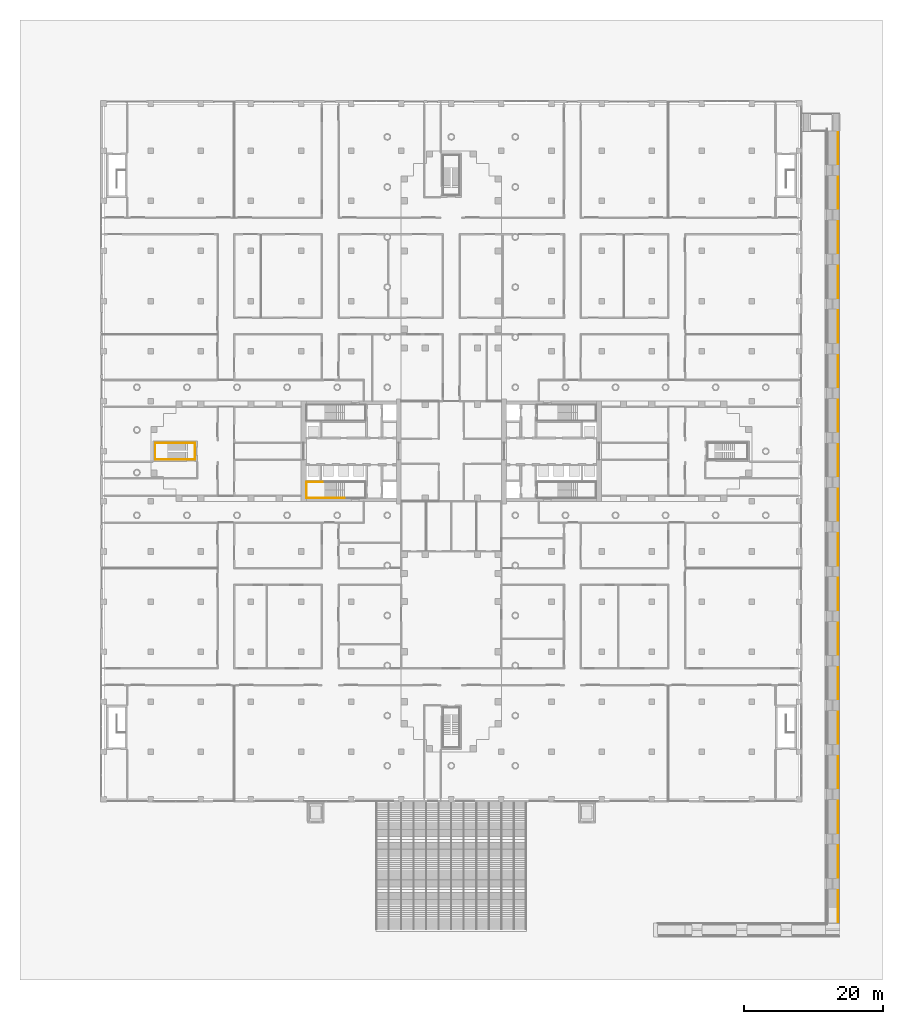
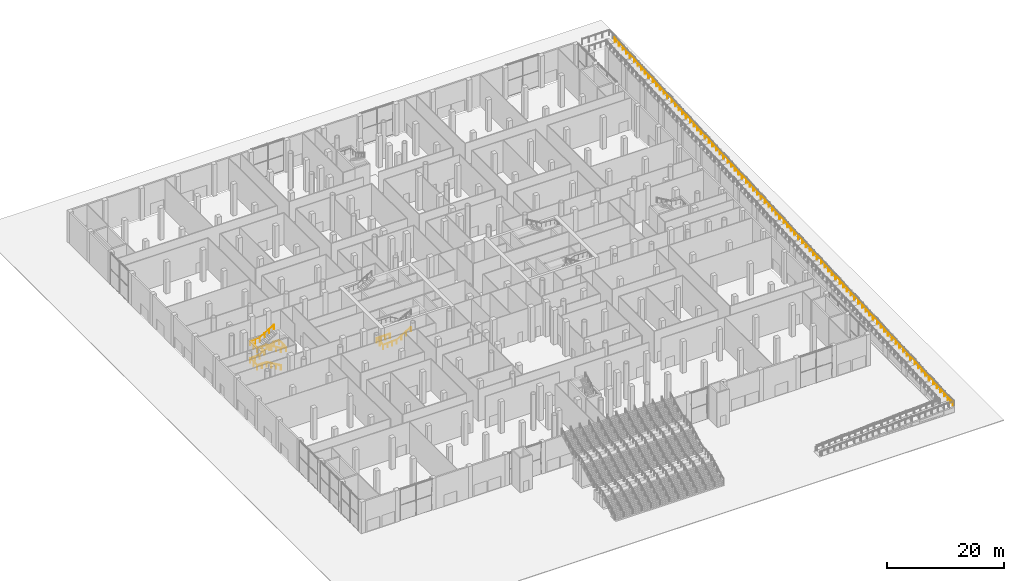
# One storey, part 41 of 44: 6 railings.
"""IFC4 building model written with IfcOpenShell, lengths in metres."""

from ifc_helpers import new_model, si_unit, direction, frame, origin, origin_2d, place, context, subcontext, project, spatial, circle, extrude, material, type_object, element, save


model = new_model("IFC4")

# Units and contexts
model_context = context("Model", 3, precision=1e-05, world=origin(), true_north=direction((0.0, 1.0)))
body_context = subcontext(model_context, "Body", "Model", "MODEL_VIEW")
ifc_project = project(units=[si_unit("LENGTHUNIT", "METRE"), si_unit("AREAUNIT", "SQUARE_METRE"), si_unit("VOLUMEUNIT", "CUBIC_METRE"), si_unit("PLANEANGLEUNIT", "RADIAN"), si_unit("MASSUNIT", "GRAM", prefix="KILO")], contexts=[model_context])

# Site, building, storey
site_placement = place(None, origin())
site = spatial("IfcSite", under=ifc_project, at=site_placement, CompositionType="ELEMENT")
building_placement = place(site_placement, origin())
building = spatial("IfcBuilding", under=site, at=building_placement, Name="Fustian Cross Tower", CompositionType="ELEMENT")
storey_placement = place(building_placement, origin())
storey = spatial("IfcBuildingStorey", under=building, at=storey_placement, Name="L00", CompositionType="ELEMENT", Elevation=0.0)

# Railings
ifc_material_1 = material(Name="Stainless steel", Category="steel")
railing_type_1 = type_object("IfcRailingType", Name="STAIR HANDRAIL", PredefinedType="HANDRAIL", material=ifc_material_1)
railing_1_placement = place(storey_placement, frame((-18.14990234375, -4.39990234375, 1.800048828125)))
element("IfcRailing", 1, at=railing_1_placement, inside=storey, type_object=railing_type_1, Name="Stair ST4 handrail 2", PredefinedType="HANDRAIL", context=body_context, shape_type="SweptSolid", body=[
    extrude(circle(Radius=0.02490234375, at=origin_2d()), frame((0.0, 0.0, 0.875), z_axis=(-1.0, 0.0, 0.0), x_axis=(0.0, -1.0, 0.0)), (0.0, 0.0, 1.0), 2.66015625),
    extrude(circle(Radius=0.02490234375, at=origin_2d()), frame((-2.66015625, 0.0, 0.875), z_axis=(0.0, -1.0, 0.0), x_axis=(1.0, 0.0, 0.0)), (0.0, 0.0, 1.0), 2.300048828125),
    extrude(circle(Radius=0.02490234375, at=origin_2d()), frame((-2.66015625, -2.300048828125, 0.875), z_axis=(0.998114806323, 0.0, 0.061374533796), x_axis=(0.0, 1.0, 0.0)), (0.0, 0.0, 1.0), 2.665283203125),
    extrude(circle(Radius=0.02490234375, at=origin_2d()), frame((0.0, -2.300048828125, 1.03857421875), z_axis=(0.863341702679, 0.0, 0.504619762213), x_axis=(0.0, 1.0, 0.0)), (0.0, 0.0, 1.0), 3.242919921875),
    extrude(circle(Radius=0.02001953125, at=origin_2d()), origin(), (0.0, 0.0, 1.0), 0.849853515625),
    extrude(circle(Radius=0.02001953125, at=origin_2d()), frame((-0.88671875, 0.0, 0.0)), (0.0, 0.0, 1.0), 0.849853515625),
    extrude(circle(Radius=0.02001953125, at=origin_2d()), frame((-1.7734375, 0.0, 0.0)), (0.0, 0.0, 1.0), 0.849853515625),
    extrude(circle(Radius=0.02001953125, at=origin_2d()), frame((-2.66015625, 0.0, 0.0)), (0.0, 0.0, 1.0), 0.849853515625),
    extrude(circle(Radius=0.02001953125, at=origin_2d()), frame((-2.66015625, -1.14990234375, 0.0)), (0.0, 0.0, 1.0), 0.849853515625),
    extrude(circle(Radius=0.02001953125, at=origin_2d()), frame((-2.66015625, -2.300048828125, 0.0)), (0.0, 0.0, 1.0), 0.849853515625),
    extrude(circle(Radius=0.02001953125, at=origin_2d()), frame((-1.7734375, -2.300048828125, 0.054443359375)), (0.0, 0.0, 1.0), 0.849853515625),
    extrude(circle(Radius=0.02001953125, at=origin_2d()), frame((-0.88671875, -2.300048828125, 0.109130859375)), (0.0, 0.0, 1.0), 0.849853515625),
    extrude(circle(Radius=0.02001953125, at=origin_2d()), frame((0.0, -2.300048828125, 0.16357421875)), (0.0, 0.0, 1.0), 0.849853515625),
    extrude(circle(Radius=0.02001953125, at=origin_2d()), frame((0.933349609375, -2.300048828125, 0.708984375)), (0.0, 0.0, 1.0), 0.849853515625),
    extrude(circle(Radius=0.02001953125, at=origin_2d()), frame((1.866455078125, -2.300048828125, 1.254638671875)), (0.0, 0.0, 1.0), 0.849853515625),
    extrude(circle(Radius=0.02001953125, at=origin_2d()), frame((2.7998046875, -2.300048828125, 1.800048828125)), (0.0, 0.0, 1.0), 0.849853515625),
])
railing_2_placement = place(storey_placement, frame((-37.89990234375, -1.199951171875, 0.16357421875)))
element("IfcRailing", 2, at=railing_2_placement, inside=storey, type_object=railing_type_1, Name="Stair ST9 handrail 1", PredefinedType="HANDRAIL", context=body_context, shape_type="SweptSolid", body=[
    extrude(circle(Radius=0.02490234375, at=origin_2d()), frame((0.0, 0.0, 0.875), z_axis=(-0.863360870873, 0.0, 0.504586966384), x_axis=(0.0, -1.0, 0.0)), (0.0, 0.0, 1.0), 3.2431640625),
    extrude(circle(Radius=0.02001953125, at=origin_2d()), origin(), (0.0, 0.0, 1.0), 0.849853515625),
    extrude(circle(Radius=0.02001953125, at=origin_2d()), frame((-0.933349609375, 0.0, 0.54541015625)), (0.0, 0.0, 1.0), 0.849853515625),
    extrude(circle(Radius=0.02001953125, at=origin_2d()), frame((-1.86669921875, 0.0, 1.091064453125)), (0.0, 0.0, 1.0), 0.849853515625),
    extrude(circle(Radius=0.02001953125, at=origin_2d()), frame((-2.800048828125, 0.0, 1.636474609375)), (0.0, 0.0, 1.0), 0.849853515625),
])
railing_3_placement = place(storey_placement, frame((-40.699951171875, -1.199951171875, 1.800048828125)))
element("IfcRailing", 3, at=railing_3_placement, inside=storey, type_object=railing_type_1, Name="Stair ST9 handrail 2", PredefinedType="HANDRAIL", context=body_context, shape_type="SweptSolid", body=[
    extrude(circle(Radius=0.02490234375, at=origin_2d()), frame((0.0, 0.0, 0.875), z_axis=(-1.0, 0.0, 0.0), x_axis=(0.0, -1.0, 0.0)), (0.0, 0.0, 1.0), 1.860107421875),
    extrude(circle(Radius=0.02490234375, at=origin_2d()), frame((-1.860107421875, 0.0, 0.875), z_axis=(0.0, 1.0, 0.0), x_axis=(-1.0, 0.0, 0.0)), (0.0, 0.0, 1.0), 2.39990234375),
    extrude(circle(Radius=0.02490234375, at=origin_2d()), frame((-1.860107421875, 2.39990234375, 0.875), z_axis=(0.996155731489, 0.0, 0.087599992138), x_axis=(0.0, 1.0, 0.0)), (0.0, 0.0, 1.0), 1.8671875),
    extrude(circle(Radius=0.02490234375, at=origin_2d()), frame((0.0, 2.39990234375, 1.03857421875), z_axis=(0.863360870873, 0.0, 0.504586966384), x_axis=(0.0, 1.0, 0.0)), (0.0, 0.0, 1.0), 3.2431640625),
    extrude(circle(Radius=0.02001953125, at=origin_2d()), origin(), (0.0, 0.0, 1.0), 0.849853515625),
    extrude(circle(Radius=0.02001953125, at=origin_2d()), frame((-0.93017578125, 0.0, 0.0)), (0.0, 0.0, 1.0), 0.849853515625),
    extrude(circle(Radius=0.02001953125, at=origin_2d()), frame((-1.860107421875, 0.0, 0.0)), (0.0, 0.0, 1.0), 0.849853515625),
    extrude(circle(Radius=0.02001953125, at=origin_2d()), frame((-1.860107421875, 1.199951171875, 0.0)), (0.0, 0.0, 1.0), 0.849853515625),
    extrude(circle(Radius=0.02001953125, at=origin_2d()), frame((-1.860107421875, 2.39990234375, 0.0)), (0.0, 0.0, 1.0), 0.849853515625),
    extrude(circle(Radius=0.02001953125, at=origin_2d()), frame((-0.93017578125, 2.39990234375, 0.081787109375)), (0.0, 0.0, 1.0), 0.849853515625),
    extrude(circle(Radius=0.02001953125, at=origin_2d()), frame((0.0, 2.39990234375, 0.16357421875)), (0.0, 0.0, 1.0), 0.849853515625),
    extrude(circle(Radius=0.02001953125, at=origin_2d()), frame((0.933349609375, 2.39990234375, 0.708984375)), (0.0, 0.0, 1.0), 0.849853515625),
    extrude(circle(Radius=0.02001953125, at=origin_2d()), frame((1.86669921875, 2.39990234375, 1.254638671875)), (0.0, 0.0, 1.0), 0.849853515625),
    extrude(circle(Radius=0.02001953125, at=origin_2d()), frame((2.800048828125, 2.39990234375, 1.800048828125)), (0.0, 0.0, 1.0), 0.849853515625),
])
railing_4_placement = place(storey_placement, frame((-37.89990234375, 1.199951171875, 3.60009765625)))
element("IfcRailing", 4, at=railing_4_placement, inside=storey, type_object=railing_type_1, Name="Stair ST9 handrail 3", PredefinedType="HANDRAIL", context=body_context, shape_type="SweptSolid", body=[
    extrude(circle(Radius=0.02490234375, at=origin_2d()), frame((0.0, 0.0, 0.875), z_axis=(1.0, 0.0, 0.0), x_axis=(0.0, 1.0, 0.0)), (0.0, 0.0, 1.0), 1.059814453125),
    extrude(circle(Radius=0.02490234375, at=origin_2d()), frame((1.059814453125, 0.0, 0.875), z_axis=(0.0, -1.0, 0.0), x_axis=(1.0, 0.0, 0.0)), (0.0, 0.0, 1.0), 2.39990234375),
    extrude(circle(Radius=0.02490234375, at=origin_2d()), frame((1.059814453125, -2.39990234375, 0.875), z_axis=(-0.988297886235, 0.0, 0.152536186081), x_axis=(0.0, -1.0, 0.0)), (0.0, 0.0, 1.0), 1.072265625),
    extrude(circle(Radius=0.02490234375, at=origin_2d()), frame((0.0, -2.39990234375, 1.03857421875), z_axis=(-0.863393664356, 0.0, 0.504530851732), x_axis=(0.0, -1.0, 0.0)), (0.0, 0.0, 1.0), 3.2431640625),
    extrude(circle(Radius=0.02001953125, at=origin_2d()), origin(), (0.0, 0.0, 1.0), 0.849853515625),
    extrude(circle(Radius=0.02001953125, at=origin_2d()), frame((1.059814453125, 0.0, 0.0)), (0.0, 0.0, 1.0), 0.849853515625),
    extrude(circle(Radius=0.02001953125, at=origin_2d()), frame((1.059814453125, -1.199951171875, 0.0)), (0.0, 0.0, 1.0), 0.849853515625),
    extrude(circle(Radius=0.02001953125, at=origin_2d()), frame((1.059814453125, -2.39990234375, 0.0)), (0.0, 0.0, 1.0), 0.849853515625),
    extrude(circle(Radius=0.02001953125, at=origin_2d()), frame((0.0, -2.39990234375, 0.16357421875)), (0.0, 0.0, 1.0), 0.849853515625),
    extrude(circle(Radius=0.02001953125, at=origin_2d()), frame((-0.933349609375, -2.39990234375, 0.708984375)), (0.0, 0.0, 1.0), 0.849853515625),
    extrude(circle(Radius=0.02001953125, at=origin_2d()), frame((-1.86669921875, -2.39990234375, 1.25439453125)), (0.0, 0.0, 1.0), 0.849853515625),
    extrude(circle(Radius=0.02001953125, at=origin_2d()), frame((-2.800048828125, -2.39990234375, 1.7998046875)), (0.0, 0.0, 1.0), 0.849853515625),
])
railing_5_placement = place(storey_placement, frame((-40.699951171875, -1.199951171875, 5.39990234375)))
element("IfcRailing", 5, at=railing_5_placement, inside=storey, type_object=railing_type_1, Name="Stair ST9 handrail 4", PredefinedType="HANDRAIL", context=body_context, shape_type="SweptSolid", body=[
    extrude(circle(Radius=0.02490234375, at=origin_2d()), frame((0.0, 0.0, 0.875), z_axis=(-1.0, 0.0, 0.0), x_axis=(0.0, -1.0, 0.0)), (0.0, 0.0, 1.0), 1.860107421875),
    extrude(circle(Radius=0.02490234375, at=origin_2d()), frame((-1.860107421875, 0.0, 0.875), z_axis=(0.0, 1.0, 0.0), x_axis=(-1.0, 0.0, 0.0)), (0.0, 0.0, 1.0), 2.39990234375),
    extrude(circle(Radius=0.02490234375, at=origin_2d()), frame((-1.860107421875, 2.39990234375, 0.875), z_axis=(0.996144313829, 0.0, 0.087729732849), x_axis=(0.0, 1.0, 0.0)), (0.0, 0.0, 1.0), 1.8671875),
    extrude(circle(Radius=0.02490234375, at=origin_2d()), frame((0.0, 2.39990234375, 1.03857421875), z_axis=(0.863393664356, 0.0, 0.504530851732), x_axis=(0.0, 1.0, 0.0)), (0.0, 0.0, 1.0), 3.2431640625),
    extrude(circle(Radius=0.02001953125, at=origin_2d()), origin(), (0.0, 0.0, 1.0), 0.849853515625),
    extrude(circle(Radius=0.02001953125, at=origin_2d()), frame((-0.93017578125, 0.0, 0.0)), (0.0, 0.0, 1.0), 0.849853515625),
    extrude(circle(Radius=0.02001953125, at=origin_2d()), frame((-1.860107421875, 0.0, 0.0)), (0.0, 0.0, 1.0), 0.849853515625),
    extrude(circle(Radius=0.02001953125, at=origin_2d()), frame((-1.860107421875, 1.199951171875, 0.0)), (0.0, 0.0, 1.0), 0.849853515625),
    extrude(circle(Radius=0.02001953125, at=origin_2d()), frame((-1.860107421875, 2.39990234375, 0.0)), (0.0, 0.0, 1.0), 0.849853515625),
    extrude(circle(Radius=0.02001953125, at=origin_2d()), frame((-0.93017578125, 2.39990234375, 0.08203125)), (0.0, 0.0, 1.0), 0.849853515625),
    extrude(circle(Radius=0.02001953125, at=origin_2d()), frame((0.0, 2.39990234375, 0.163818359375)), (0.0, 0.0, 1.0), 0.849853515625),
    extrude(circle(Radius=0.02001953125, at=origin_2d()), frame((0.933349609375, 2.39990234375, 0.709228515625)), (0.0, 0.0, 1.0), 0.849853515625),
    extrude(circle(Radius=0.02001953125, at=origin_2d()), frame((1.86669921875, 2.39990234375, 1.254638671875)), (0.0, 0.0, 1.0), 0.849853515625),
    extrude(circle(Radius=0.02001953125, at=origin_2d()), frame((2.800048828125, 2.39990234375, 1.800048828125)), (0.0, 0.0, 1.0), 0.849853515625),
])
ifc_material_2 = material(Name="Steel S355", Category="steel")
railing_type_2 = type_object("IfcRailingType", Name="STEEL HANDRAIL 900", PredefinedType="HANDRAIL", material=ifc_material_2)
railing_6_placement = place(storey_placement, frame((55.60009765625, -69.60009765625, 1.30908203125)))
element("IfcRailing", 6, at=railing_6_placement, inside=storey, type_object=railing_type_2, Name="Ramp handrail H2 east leg", PredefinedType="HANDRAIL", context=body_context, shape_type="SweptSolid", body=[
    extrude(circle(Radius=0.02392578125, at=origin_2d()), frame((0.0, 0.0, 0.8759765625), z_axis=(0.0, 1.0, 0.0), x_axis=(-1.0, 0.0, 0.0)), (0.0, 0.0, 1.0), 1.800048828125),
    extrude(circle(Radius=0.02392578125, at=origin_2d()), frame((0.0, 1.800048828125, 0.8759765625), z_axis=(0.0, 0.99778362065, 0.066542064616), x_axis=(-1.0, 0.0, 0.0)), (0.0, 0.0, 1.0), 4.920166015625),
    extrude(circle(Radius=0.02392578125, at=origin_2d()), frame((0.0, 6.709228515625, 1.203125), z_axis=(0.0, 1.0, 0.0), x_axis=(-1.0, 0.0, 0.0)), (0.0, 0.0, 1.0), 1.5),
    extrude(circle(Radius=0.02392578125, at=origin_2d()), frame((0.0, 8.209228515625, 1.203125), z_axis=(0.0, 0.997786694612, 0.066495955179), x_axis=(-1.0, 0.0, 0.0)), (0.0, 0.0, 1.0), 4.919921875),
    extrude(circle(Radius=0.02392578125, at=origin_2d()), frame((0.0, 13.1181640625, 1.5302734375), z_axis=(0.0, 1.0, 0.0), x_axis=(-1.0, 0.0, 0.0)), (0.0, 0.0, 1.0), 1.5),
    extrude(circle(Radius=0.02392578125, at=origin_2d()), frame((0.0, 14.6181640625, 1.5302734375), z_axis=(0.0, 0.99778362065, 0.066542064616), x_axis=(-1.0, 0.0, 0.0)), (0.0, 0.0, 1.0), 4.920166015625),
    extrude(circle(Radius=0.02392578125, at=origin_2d()), frame((0.0, 19.52734375, 1.85791015625), z_axis=(0.0, 1.0, 0.0), x_axis=(-1.0, 0.0, 0.0)), (0.0, 0.0, 1.0), 1.5),
    extrude(circle(Radius=0.02392578125, at=origin_2d()), frame((0.0, 21.02734375, 1.85791015625), z_axis=(0.0, 0.997786914018, 0.06649266286), x_axis=(-1.0, 0.0, 0.0)), (0.0, 0.0, 1.0), 4.920166015625),
    extrude(circle(Radius=0.02392578125, at=origin_2d()), frame((0.0, 25.9365234375, 2.18505859375), z_axis=(0.0, 1.0, 0.0), x_axis=(-1.0, 0.0, 0.0)), (0.0, 0.0, 1.0), 1.5),
    extrude(circle(Radius=0.02392578125, at=origin_2d()), frame((0.0, 27.4365234375, 2.18505859375), z_axis=(0.0, 0.997783400918, 0.066545359359), x_axis=(-1.0, 0.0, 0.0)), (0.0, 0.0, 1.0), 4.919921875),
    extrude(circle(Radius=0.02392578125, at=origin_2d()), frame((0.0, 32.345458984375, 2.51220703125), z_axis=(0.0, 1.0, 0.0), x_axis=(-1.0, 0.0, 0.0)), (0.0, 0.0, 1.0), 1.5),
    extrude(circle(Radius=0.02392578125, at=origin_2d()), frame((0.0, 33.845458984375, 2.51220703125), z_axis=(0.0, 0.997786914018, 0.06649266286), x_axis=(-1.0, 0.0, 0.0)), (0.0, 0.0, 1.0), 4.920166015625),
    extrude(circle(Radius=0.02392578125, at=origin_2d()), frame((0.0, 38.754638671875, 2.83935546875), z_axis=(0.0, 1.0, 0.0), x_axis=(-1.0, 0.0, 0.0)), (0.0, 0.0, 1.0), 1.5),
    extrude(circle(Radius=0.02392578125, at=origin_2d()), frame((0.0, 40.254638671875, 2.83935546875), z_axis=(0.0, 0.99778362065, 0.066542064616), x_axis=(-1.0, 0.0, 0.0)), (0.0, 0.0, 1.0), 4.920166015625),
    extrude(circle(Radius=0.02392578125, at=origin_2d()), frame((0.0, 45.163818359375, 3.1669921875), z_axis=(0.0, 1.0, 0.0), x_axis=(-1.0, 0.0, 0.0)), (0.0, 0.0, 1.0), 1.5),
    extrude(circle(Radius=0.02392578125, at=origin_2d()), frame((0.0, 46.663818359375, 3.1669921875), z_axis=(0.0, 0.997786694612, 0.066495955179), x_axis=(-1.0, 0.0, 0.0)), (0.0, 0.0, 1.0), 4.919921875),
    extrude(circle(Radius=0.02392578125, at=origin_2d()), frame((0.0, 51.57275390625, 3.494140625), z_axis=(0.0, 1.0, 0.0), x_axis=(-1.0, 0.0, 0.0)), (0.0, 0.0, 1.0), 1.5),
    extrude(circle(Radius=0.02392578125, at=origin_2d()), frame((0.0, 53.07275390625, 3.494140625), z_axis=(0.0, 0.99778362065, 0.066542064616), x_axis=(-1.0, 0.0, 0.0)), (0.0, 0.0, 1.0), 4.920166015625),
    extrude(circle(Radius=0.02392578125, at=origin_2d()), frame((0.0, 57.98193359375, 3.8212890625), z_axis=(0.0, 1.0, 0.0), x_axis=(-1.0, 0.0, 0.0)), (0.0, 0.0, 1.0), 1.5),
    extrude(circle(Radius=0.02392578125, at=origin_2d()), frame((0.0, 59.48193359375, 3.8212890625), z_axis=(0.0, 0.997786914018, 0.06649266286), x_axis=(-1.0, 0.0, 0.0)), (0.0, 0.0, 1.0), 4.920166015625),
    extrude(circle(Radius=0.02392578125, at=origin_2d()), frame((0.0, 64.39111328125, 4.1484375), z_axis=(0.0, 1.0, 0.0), x_axis=(-1.0, 0.0, 0.0)), (0.0, 0.0, 1.0), 1.5),
    extrude(circle(Radius=0.02392578125, at=origin_2d()), frame((0.0, 65.89111328125, 4.1484375), z_axis=(0.0, 0.997783400918, 0.066545359359), x_axis=(-1.0, 0.0, 0.0)), (0.0, 0.0, 1.0), 4.919921875),
    extrude(circle(Radius=0.02392578125, at=origin_2d()), frame((0.0, 70.800048828125, 4.47607421875), z_axis=(0.0, 1.0, 0.0), x_axis=(-1.0, 0.0, 0.0)), (0.0, 0.0, 1.0), 1.5),
    extrude(circle(Radius=0.02392578125, at=origin_2d()), frame((0.0, 72.300048828125, 4.47607421875), z_axis=(0.0, 0.997786914018, 0.06649266286), x_axis=(-1.0, 0.0, 0.0)), (0.0, 0.0, 1.0), 4.920166015625),
    extrude(circle(Radius=0.02392578125, at=origin_2d()), frame((0.0, 77.209228515625, 4.80322265625), z_axis=(0.0, 1.0, 0.0), x_axis=(-1.0, 0.0, 0.0)), (0.0, 0.0, 1.0), 1.5),
    extrude(circle(Radius=0.02392578125, at=origin_2d()), frame((0.0, 78.709228515625, 4.80322265625), z_axis=(0.0, 0.997783400918, 0.066545359359), x_axis=(-1.0, 0.0, 0.0)), (0.0, 0.0, 1.0), 4.919921875),
    extrude(circle(Radius=0.02392578125, at=origin_2d()), frame((0.0, 83.6181640625, 5.13037109375), z_axis=(0.0, 1.0, 0.0), x_axis=(-1.0, 0.0, 0.0)), (0.0, 0.0, 1.0), 1.5),
    extrude(circle(Radius=0.02392578125, at=origin_2d()), frame((0.0, 85.1181640625, 5.13037109375), z_axis=(0.0, 0.997786914018, 0.06649266286), x_axis=(-1.0, 0.0, 0.0)), (0.0, 0.0, 1.0), 4.920166015625),
    extrude(circle(Radius=0.02392578125, at=origin_2d()), frame((0.0, 90.02734375, 5.45751953125), z_axis=(0.0, 1.0, 0.0), x_axis=(-1.0, 0.0, 0.0)), (0.0, 0.0, 1.0), 1.5),
    extrude(circle(Radius=0.02392578125, at=origin_2d()), frame((0.0, 91.52734375, 5.45751953125), z_axis=(0.0, 0.99778362065, 0.066542064616), x_axis=(-1.0, 0.0, 0.0)), (0.0, 0.0, 1.0), 4.920166015625),
    extrude(circle(Radius=0.02392578125, at=origin_2d()), frame((0.0, 96.4365234375, 5.78515625), z_axis=(0.0, 1.0, 0.0), x_axis=(-1.0, 0.0, 0.0)), (0.0, 0.0, 1.0), 1.5),
    extrude(circle(Radius=0.02392578125, at=origin_2d()), frame((0.0, 97.9365234375, 5.78515625), z_axis=(0.0, 0.997786694612, 0.066495955179), x_axis=(-1.0, 0.0, 0.0)), (0.0, 0.0, 1.0), 4.919921875),
    extrude(circle(Radius=0.02392578125, at=origin_2d()), frame((0.0, 102.845458984375, 6.1123046875), z_axis=(0.0, 1.0, 0.0), x_axis=(-1.0, 0.0, 0.0)), (0.0, 0.0, 1.0), 1.5),
    extrude(circle(Radius=0.02392578125, at=origin_2d()), frame((0.0, 104.345458984375, 6.1123046875), z_axis=(0.0, 0.99778362065, 0.066542064616), x_axis=(-1.0, 0.0, 0.0)), (0.0, 0.0, 1.0), 4.920166015625),
    extrude(circle(Radius=0.02392578125, at=origin_2d()), frame((0.0, 109.254638671875, 6.439453125), z_axis=(0.0, 1.0, 0.0), x_axis=(-1.0, 0.0, 0.0)), (0.0, 0.0, 1.0), 1.5),
    extrude(circle(Radius=0.02392578125, at=origin_2d()), frame((0.0, 110.754638671875, 6.439453125), z_axis=(0.0, 0.997786914018, 0.06649266286), x_axis=(-1.0, 0.0, 0.0)), (0.0, 0.0, 1.0), 4.920166015625),
    extrude(circle(Radius=0.02392578125, at=origin_2d()), frame((0.0, 115.663818359375, 6.7666015625), z_axis=(0.0, 1.0, 0.0), x_axis=(-1.0, 0.0, 0.0)), (0.0, 0.0, 1.0), 0.2998046875),
    extrude(circle(Radius=0.02099609375, at=origin_2d()), origin(), (0.0, 0.0, 1.0), 0.851806640625),
    extrude(circle(Radius=0.02099609375, at=origin_2d()), frame((0.0, 0.89990234375, 0.0)), (0.0, 0.0, 1.0), 0.851806640625),
    extrude(circle(Radius=0.02099609375, at=origin_2d()), frame((0.0, 1.800048828125, 0.0)), (0.0, 0.0, 1.0), 0.851806640625),
    extrude(circle(Radius=0.02099609375, at=origin_2d()), frame((0.0, 3.02734375, 0.081787109375)), (0.0, 0.0, 1.0), 0.851806640625),
    extrude(circle(Radius=0.02099609375, at=origin_2d()), frame((0.0, 4.254638671875, 0.16357421875)), (0.0, 0.0, 1.0), 0.851806640625),
    extrude(circle(Radius=0.02099609375, at=origin_2d()), frame((0.0, 5.48193359375, 0.24560546875)), (0.0, 0.0, 1.0), 0.851806640625),
    extrude(circle(Radius=0.02099609375, at=origin_2d()), frame((0.0, 6.709228515625, 0.327392578125)), (0.0, 0.0, 1.0), 0.851806640625),
    extrude(circle(Radius=0.02099609375, at=origin_2d()), frame((0.0, 8.209228515625, 0.327392578125)), (0.0, 0.0, 1.0), 0.851806640625),
    extrude(circle(Radius=0.02099609375, at=origin_2d()), frame((0.0, 9.4365234375, 0.4091796875)), (0.0, 0.0, 1.0), 0.851806640625),
    extrude(circle(Radius=0.02099609375, at=origin_2d()), frame((0.0, 10.66357421875, 0.490966796875)), (0.0, 0.0, 1.0), 0.851806640625),
    extrude(circle(Radius=0.02099609375, at=origin_2d()), frame((0.0, 11.890869140625, 0.57275390625)), (0.0, 0.0, 1.0), 0.851806640625),
    extrude(circle(Radius=0.02099609375, at=origin_2d()), frame((0.0, 13.1181640625, 0.654541015625)), (0.0, 0.0, 1.0), 0.851806640625),
    extrude(circle(Radius=0.02099609375, at=origin_2d()), frame((0.0, 14.6181640625, 0.654541015625)), (0.0, 0.0, 1.0), 0.851806640625),
    extrude(circle(Radius=0.02099609375, at=origin_2d()), frame((0.0, 15.845458984375, 0.736328125)), (0.0, 0.0, 1.0), 0.851806640625),
    extrude(circle(Radius=0.02099609375, at=origin_2d()), frame((0.0, 17.07275390625, 0.818359375)), (0.0, 0.0, 1.0), 0.851806640625),
    extrude(circle(Radius=0.02099609375, at=origin_2d()), frame((0.0, 18.300048828125, 0.900146484375)), (0.0, 0.0, 1.0), 0.851806640625),
    extrude(circle(Radius=0.02099609375, at=origin_2d()), frame((0.0, 19.52734375, 0.98193359375)), (0.0, 0.0, 1.0), 0.851806640625),
    extrude(circle(Radius=0.02099609375, at=origin_2d()), frame((0.0, 21.02734375, 0.98193359375)), (0.0, 0.0, 1.0), 0.851806640625),
    extrude(circle(Radius=0.02099609375, at=origin_2d()), frame((0.0, 22.254638671875, 1.063720703125)), (0.0, 0.0, 1.0), 0.851806640625),
    extrude(circle(Radius=0.02099609375, at=origin_2d()), frame((0.0, 23.48193359375, 1.1455078125)), (0.0, 0.0, 1.0), 0.851806640625),
    extrude(circle(Radius=0.02099609375, at=origin_2d()), frame((0.0, 24.709228515625, 1.227294921875)), (0.0, 0.0, 1.0), 0.851806640625),
    extrude(circle(Radius=0.02099609375, at=origin_2d()), frame((0.0, 25.9365234375, 1.30908203125)), (0.0, 0.0, 1.0), 0.851806640625),
    extrude(circle(Radius=0.02099609375, at=origin_2d()), frame((0.0, 27.4365234375, 1.30908203125)), (0.0, 0.0, 1.0), 0.851806640625),
    extrude(circle(Radius=0.02099609375, at=origin_2d()), frame((0.0, 28.663818359375, 1.390869140625)), (0.0, 0.0, 1.0), 0.851806640625),
    extrude(circle(Radius=0.02099609375, at=origin_2d()), frame((0.0, 29.89111328125, 1.47265625)), (0.0, 0.0, 1.0), 0.851806640625),
    extrude(circle(Radius=0.02099609375, at=origin_2d()), frame((0.0, 31.1181640625, 1.5546875)), (0.0, 0.0, 1.0), 0.851806640625),
    extrude(circle(Radius=0.02099609375, at=origin_2d()), frame((0.0, 32.345458984375, 1.636474609375)), (0.0, 0.0, 1.0), 0.851806640625),
    extrude(circle(Radius=0.02099609375, at=origin_2d()), frame((0.0, 33.845458984375, 1.636474609375)), (0.0, 0.0, 1.0), 0.851806640625),
    extrude(circle(Radius=0.02099609375, at=origin_2d()), frame((0.0, 35.07275390625, 1.71826171875)), (0.0, 0.0, 1.0), 0.851806640625),
    extrude(circle(Radius=0.02099609375, at=origin_2d()), frame((0.0, 36.300048828125, 1.800048828125)), (0.0, 0.0, 1.0), 0.851806640625),
    extrude(circle(Radius=0.02099609375, at=origin_2d()), frame((0.0, 37.52734375, 1.8818359375)), (0.0, 0.0, 1.0), 0.851806640625),
    extrude(circle(Radius=0.02099609375, at=origin_2d()), frame((0.0, 38.754638671875, 1.963623046875)), (0.0, 0.0, 1.0), 0.851806640625),
    extrude(circle(Radius=0.02099609375, at=origin_2d()), frame((0.0, 40.254638671875, 1.963623046875)), (0.0, 0.0, 1.0), 0.851806640625),
    extrude(circle(Radius=0.02099609375, at=origin_2d()), frame((0.0, 41.48193359375, 2.04541015625)), (0.0, 0.0, 1.0), 0.851806640625),
    extrude(circle(Radius=0.02099609375, at=origin_2d()), frame((0.0, 42.709228515625, 2.12744140625)), (0.0, 0.0, 1.0), 0.851806640625),
    extrude(circle(Radius=0.02099609375, at=origin_2d()), frame((0.0, 43.9365234375, 2.209228515625)), (0.0, 0.0, 1.0), 0.851806640625),
    extrude(circle(Radius=0.02099609375, at=origin_2d()), frame((0.0, 45.163818359375, 2.291015625)), (0.0, 0.0, 1.0), 0.851806640625),
    extrude(circle(Radius=0.02099609375, at=origin_2d()), frame((0.0, 46.663818359375, 2.291015625)), (0.0, 0.0, 1.0), 0.851806640625),
    extrude(circle(Radius=0.02099609375, at=origin_2d()), frame((0.0, 47.89111328125, 2.372802734375)), (0.0, 0.0, 1.0), 0.851806640625),
    extrude(circle(Radius=0.02099609375, at=origin_2d()), frame((0.0, 49.1181640625, 2.45458984375)), (0.0, 0.0, 1.0), 0.851806640625),
    extrude(circle(Radius=0.02099609375, at=origin_2d()), frame((0.0, 50.345458984375, 2.536376953125)), (0.0, 0.0, 1.0), 0.851806640625),
    extrude(circle(Radius=0.02099609375, at=origin_2d()), frame((0.0, 51.57275390625, 2.6181640625)), (0.0, 0.0, 1.0), 0.851806640625),
    extrude(circle(Radius=0.02099609375, at=origin_2d()), frame((0.0, 53.07275390625, 2.6181640625)), (0.0, 0.0, 1.0), 0.851806640625),
    extrude(circle(Radius=0.02099609375, at=origin_2d()), frame((0.0, 54.300048828125, 2.699951171875)), (0.0, 0.0, 1.0), 0.851806640625),
    extrude(circle(Radius=0.02099609375, at=origin_2d()), frame((0.0, 55.52734375, 2.78173828125)), (0.0, 0.0, 1.0), 0.851806640625),
    extrude(circle(Radius=0.02099609375, at=origin_2d()), frame((0.0, 56.754638671875, 2.86376953125)), (0.0, 0.0, 1.0), 0.851806640625),
    extrude(circle(Radius=0.02099609375, at=origin_2d()), frame((0.0, 57.98193359375, 2.945556640625)), (0.0, 0.0, 1.0), 0.851806640625),
    extrude(circle(Radius=0.02099609375, at=origin_2d()), frame((0.0, 59.48193359375, 2.945556640625)), (0.0, 0.0, 1.0), 0.851806640625),
    extrude(circle(Radius=0.02099609375, at=origin_2d()), frame((0.0, 60.709228515625, 3.02734375)), (0.0, 0.0, 1.0), 0.851806640625),
    extrude(circle(Radius=0.02099609375, at=origin_2d()), frame((0.0, 61.9365234375, 3.109130859375)), (0.0, 0.0, 1.0), 0.851806640625),
    extrude(circle(Radius=0.02099609375, at=origin_2d()), frame((0.0, 63.163818359375, 3.19091796875)), (0.0, 0.0, 1.0), 0.851806640625),
    extrude(circle(Radius=0.02099609375, at=origin_2d()), frame((0.0, 64.39111328125, 3.272705078125)), (0.0, 0.0, 1.0), 0.851806640625),
    extrude(circle(Radius=0.02099609375, at=origin_2d()), frame((0.0, 65.89111328125, 3.272705078125)), (0.0, 0.0, 1.0), 0.851806640625),
    extrude(circle(Radius=0.02099609375, at=origin_2d()), frame((0.0, 67.118408203125, 3.3544921875)), (0.0, 0.0, 1.0), 0.851806640625),
    extrude(circle(Radius=0.02099609375, at=origin_2d()), frame((0.0, 68.345703125, 3.4365234375)), (0.0, 0.0, 1.0), 0.851806640625),
    extrude(circle(Radius=0.02099609375, at=origin_2d()), frame((0.0, 69.57275390625, 3.518310546875)), (0.0, 0.0, 1.0), 0.851806640625),
    extrude(circle(Radius=0.02099609375, at=origin_2d()), frame((0.0, 70.800048828125, 3.60009765625)), (0.0, 0.0, 1.0), 0.851806640625),
    extrude(circle(Radius=0.02099609375, at=origin_2d()), frame((0.0, 72.300048828125, 3.60009765625)), (0.0, 0.0, 1.0), 0.851806640625),
    extrude(circle(Radius=0.02099609375, at=origin_2d()), frame((0.0, 73.52734375, 3.681884765625)), (0.0, 0.0, 1.0), 0.851806640625),
    extrude(circle(Radius=0.02099609375, at=origin_2d()), frame((0.0, 74.754638671875, 3.763671875)), (0.0, 0.0, 1.0), 0.851806640625),
    extrude(circle(Radius=0.02099609375, at=origin_2d()), frame((0.0, 75.98193359375, 3.845458984375)), (0.0, 0.0, 1.0), 0.851806640625),
    extrude(circle(Radius=0.02099609375, at=origin_2d()), frame((0.0, 77.209228515625, 3.92724609375)), (0.0, 0.0, 1.0), 0.851806640625),
    extrude(circle(Radius=0.02099609375, at=origin_2d()), frame((0.0, 78.709228515625, 3.92724609375)), (0.0, 0.0, 1.0), 0.851806640625),
    extrude(circle(Radius=0.02099609375, at=origin_2d()), frame((0.0, 79.9365234375, 4.009033203125)), (0.0, 0.0, 1.0), 0.851806640625),
    extrude(circle(Radius=0.02099609375, at=origin_2d()), frame((0.0, 81.16357421875, 4.0908203125)), (0.0, 0.0, 1.0), 0.851806640625),
    extrude(circle(Radius=0.02099609375, at=origin_2d()), frame((0.0, 82.390869140625, 4.1728515625)), (0.0, 0.0, 1.0), 0.851806640625),
    extrude(circle(Radius=0.02099609375, at=origin_2d()), frame((0.0, 83.6181640625, 4.254638671875)), (0.0, 0.0, 1.0), 0.851806640625),
    extrude(circle(Radius=0.02099609375, at=origin_2d()), frame((0.0, 85.1181640625, 4.254638671875)), (0.0, 0.0, 1.0), 0.851806640625),
    extrude(circle(Radius=0.02099609375, at=origin_2d()), frame((0.0, 86.345458984375, 4.33642578125)), (0.0, 0.0, 1.0), 0.851806640625),
    extrude(circle(Radius=0.02099609375, at=origin_2d()), frame((0.0, 87.57275390625, 4.418212890625)), (0.0, 0.0, 1.0), 0.851806640625),
    extrude(circle(Radius=0.02099609375, at=origin_2d()), frame((0.0, 88.800048828125, 4.5)), (0.0, 0.0, 1.0), 0.851806640625),
    extrude(circle(Radius=0.02099609375, at=origin_2d()), frame((0.0, 90.02734375, 4.581787109375)), (0.0, 0.0, 1.0), 0.851806640625),
    extrude(circle(Radius=0.02099609375, at=origin_2d()), frame((0.0, 91.52734375, 4.581787109375)), (0.0, 0.0, 1.0), 0.851806640625),
    extrude(circle(Radius=0.02099609375, at=origin_2d()), frame((0.0, 92.754638671875, 4.66357421875)), (0.0, 0.0, 1.0), 0.851806640625),
    extrude(circle(Radius=0.02099609375, at=origin_2d()), frame((0.0, 93.98193359375, 4.74560546875)), (0.0, 0.0, 1.0), 0.851806640625),
    extrude(circle(Radius=0.02099609375, at=origin_2d()), frame((0.0, 95.209228515625, 4.827392578125)), (0.0, 0.0, 1.0), 0.851806640625),
    extrude(circle(Radius=0.02099609375, at=origin_2d()), frame((0.0, 96.4365234375, 4.9091796875)), (0.0, 0.0, 1.0), 0.851806640625),
    extrude(circle(Radius=0.02099609375, at=origin_2d()), frame((0.0, 97.9365234375, 4.9091796875)), (0.0, 0.0, 1.0), 0.851806640625),
    extrude(circle(Radius=0.02099609375, at=origin_2d()), frame((0.0, 99.163818359375, 4.990966796875)), (0.0, 0.0, 1.0), 0.851806640625),
    extrude(circle(Radius=0.02099609375, at=origin_2d()), frame((0.0, 100.39111328125, 5.07275390625)), (0.0, 0.0, 1.0), 0.851806640625),
    extrude(circle(Radius=0.02099609375, at=origin_2d()), frame((0.0, 101.6181640625, 5.154541015625)), (0.0, 0.0, 1.0), 0.851806640625),
    extrude(circle(Radius=0.02099609375, at=origin_2d()), frame((0.0, 102.845458984375, 5.236328125)), (0.0, 0.0, 1.0), 0.851806640625),
    extrude(circle(Radius=0.02099609375, at=origin_2d()), frame((0.0, 104.345458984375, 5.236328125)), (0.0, 0.0, 1.0), 0.851806640625),
    extrude(circle(Radius=0.02099609375, at=origin_2d()), frame((0.0, 105.57275390625, 5.318115234375)), (0.0, 0.0, 1.0), 0.851806640625),
    extrude(circle(Radius=0.02099609375, at=origin_2d()), frame((0.0, 106.800048828125, 5.39990234375)), (0.0, 0.0, 1.0), 0.851806640625),
    extrude(circle(Radius=0.02099609375, at=origin_2d()), frame((0.0, 108.02734375, 5.48193359375)), (0.0, 0.0, 1.0), 0.851806640625),
    extrude(circle(Radius=0.02099609375, at=origin_2d()), frame((0.0, 109.254638671875, 5.563720703125)), (0.0, 0.0, 1.0), 0.851806640625),
    extrude(circle(Radius=0.02099609375, at=origin_2d()), frame((0.0, 110.754638671875, 5.563720703125)), (0.0, 0.0, 1.0), 0.851806640625),
    extrude(circle(Radius=0.02099609375, at=origin_2d()), frame((0.0, 111.98193359375, 5.6455078125)), (0.0, 0.0, 1.0), 0.851806640625),
    extrude(circle(Radius=0.02099609375, at=origin_2d()), frame((0.0, 113.209228515625, 5.727294921875)), (0.0, 0.0, 1.0), 0.851806640625),
    extrude(circle(Radius=0.02099609375, at=origin_2d()), frame((0.0, 114.4365234375, 5.80908203125)), (0.0, 0.0, 1.0), 0.851806640625),
    extrude(circle(Radius=0.02099609375, at=origin_2d()), frame((0.0, 115.663818359375, 5.890869140625)), (0.0, 0.0, 1.0), 0.851806640625),
    extrude(circle(Radius=0.02099609375, at=origin_2d()), frame((0.0, 115.963623046875, 5.890869140625)), (0.0, 0.0, 1.0), 0.851806640625),
])

save(model, "model.ifc")
